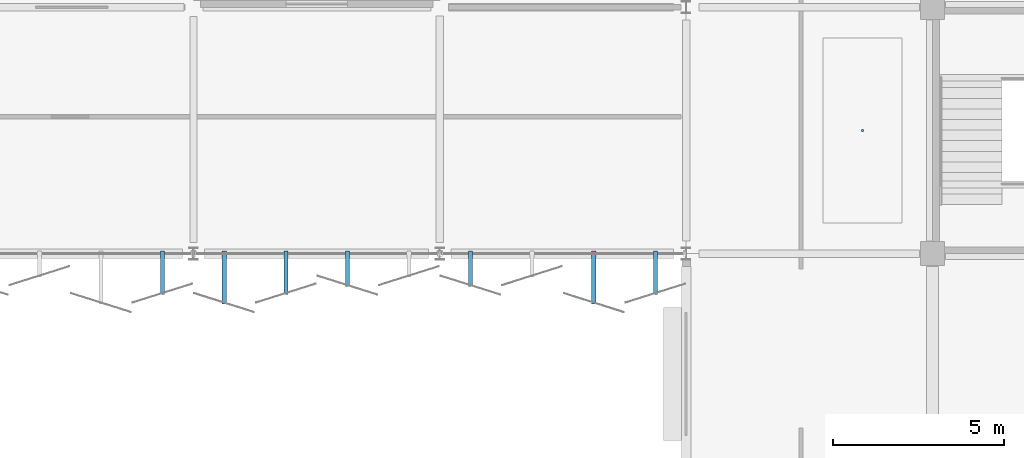
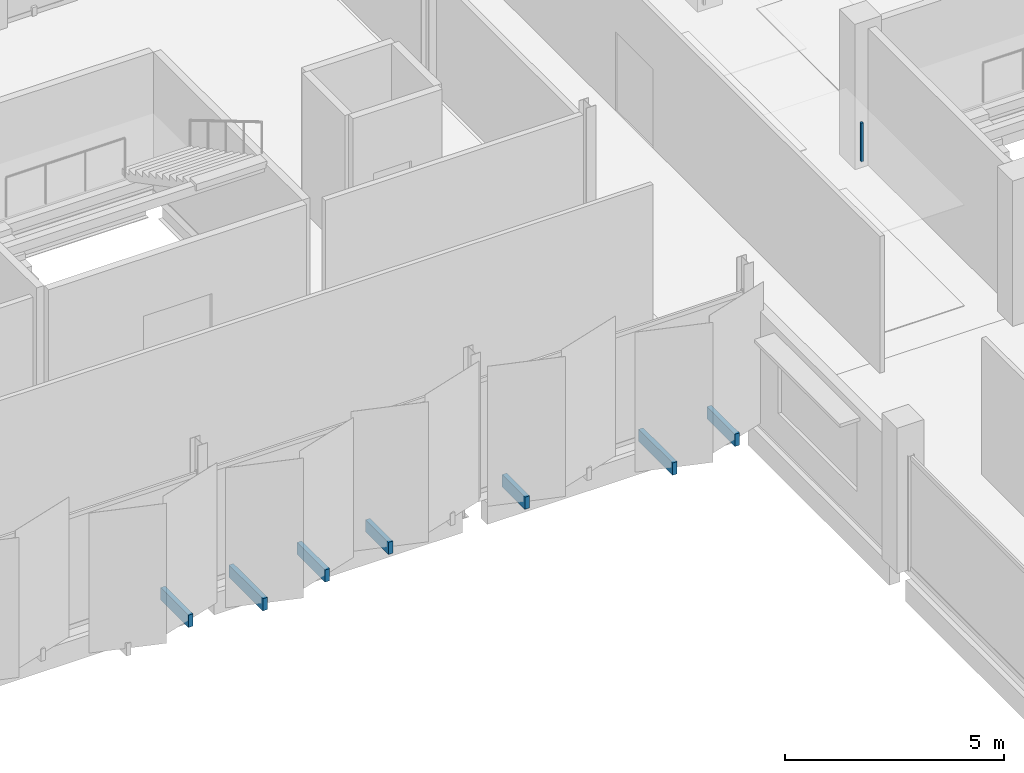
# One storey, part 84 of 91: 8 discrete accessories.
"""IFC4 building model written with IfcOpenShell, lengths in metres."""

from ifc_helpers import new_model, si_unit, direction, frame, origin, origin_2d, place, context, subcontext, project, spatial, rectangle, extrude, material, type_object, element, save


model = new_model("IFC4")

# Units and contexts
model_context = context("Model", 3, precision=1e-05, world=origin(), true_north=direction((0.0, 1.0)))
body_context = subcontext(model_context, "Body", "Model", "MODEL_VIEW")
ifc_project = project(units=[si_unit("LENGTHUNIT", "METRE"), si_unit("AREAUNIT", "SQUARE_METRE"), si_unit("VOLUMEUNIT", "CUBIC_METRE"), si_unit("PLANEANGLEUNIT", "RADIAN"), si_unit("MASSUNIT", "GRAM", prefix="KILO")], contexts=[model_context])

# Site, building, storey
site_placement = place(None, origin())
site = spatial("IfcSite", under=ifc_project, at=site_placement, CompositionType="ELEMENT")
building_placement = place(site_placement, origin())
building = spatial("IfcBuilding", under=site, at=building_placement, Name="Kangsadwip Square Police Headquarters", CompositionType="ELEMENT")
storey_placement = place(building_placement, frame((0.0, 0.0, 13.5)))
storey = spatial("IfcBuildingStorey", under=building, at=storey_placement, Name="L03", CompositionType="ELEMENT", Elevation=13.5)

# Discrete accessories
ifc_material = material(Name="Structural steel IS 2062 E350 (Grade 350, 350 MPa)", Category="steel")
discrete_accessory_type = type_object("IfcDiscreteAccessoryType", Name="VeilOutriggerBracket", PredefinedType="BRACKET", material=ifc_material)
discrete_accessory_1_placement = place(storey_placement, frame((128.699951171875, 93.042724609375, -0.10009765625), z_axis=(0.0, 0.0, 1.0), x_axis=(1.0, 0.0, 0.0)))
element("IfcDiscreteAccessory", 1, at=discrete_accessory_1_placement, inside=storey, type_object=discrete_accessory_type, Name="Veil Outrigger Bracket VBK-L03-0328", PredefinedType="BRACKET", context=body_context, shape_type="SweptSolid", body=[
    extrude(rectangle(XDim=0.1201171875, YDim=1.274658203125, at=origin_2d()), origin(), (0.0, 0.0, 1.0), 0.340087890625),
])
discrete_accessory_2_placement = place(storey_placement, frame((130.5, 92.902587890625, -0.10009765625), z_axis=(0.0, 0.0, 1.0), x_axis=(1.0, 0.0, 0.0)))
element("IfcDiscreteAccessory", 2, at=discrete_accessory_2_placement, inside=storey, type_object=discrete_accessory_type, Name="Veil Outrigger Bracket VBK-L03-0329", PredefinedType="BRACKET", context=body_context, shape_type="SweptSolid", body=[
    extrude(rectangle(XDim=0.1201171875, YDim=1.5546875, at=origin_2d()), origin(), (0.0, 0.0, 1.0), 0.340087890625),
])
discrete_accessory_3_placement = place(storey_placement, frame((132.300048828125, 93.042724609375, -0.10009765625), z_axis=(0.0, 0.0, 1.0), x_axis=(1.0, 0.0, 0.0)))
element("IfcDiscreteAccessory", 3, at=discrete_accessory_3_placement, inside=storey, type_object=discrete_accessory_type, Name="Veil Outrigger Bracket VBK-L03-0330", PredefinedType="BRACKET", context=body_context, shape_type="SweptSolid", body=[
    extrude(rectangle(XDim=0.1201171875, YDim=1.274658203125, at=origin_2d()), origin(), (0.0, 0.0, 1.0), 0.340087890625),
])
for number, where, z_axis, x_axis, name in (
    (4, (134.10009765625, 93.1572265625, -0.10009765625), (0.0, 0.0, 1.0), (1.0, 0.0, 0.0), "Veil Outrigger Bracket VBK-L03-0331"),
    (5, (137.699951171875, 93.1572265625, -0.10009765625), (0.0, 0.0, 1.0), (1.0, 0.0, 0.0), "Veil Outrigger Bracket VBK-L03-0333"),
):
    element("IfcDiscreteAccessory", number, at=place(storey_placement, frame(where, z_axis=z_axis, x_axis=x_axis)), inside=storey, type_object=discrete_accessory_type, Name=name, PredefinedType="BRACKET", context=body_context, shape_type="SweptSolid", body=[
        extrude(rectangle(XDim=0.1201171875, YDim=1.04541015625, at=origin_2d()), origin(), (0.0, 0.0, 1.0), 0.340087890625),
    ])
discrete_accessory_4_placement = place(storey_placement, frame((141.300048828125, 92.902587890625, -0.10009765625), z_axis=(0.0, 0.0, 1.0), x_axis=(1.0, 0.0, 0.0)))
element("IfcDiscreteAccessory", 6, at=discrete_accessory_4_placement, inside=storey, type_object=discrete_accessory_type, Name="Veil Outrigger Bracket VBK-L03-0335", PredefinedType="BRACKET", context=body_context, shape_type="SweptSolid", body=[
    extrude(rectangle(XDim=0.1201171875, YDim=1.5546875, at=origin_2d()), origin(), (0.0, 0.0, 1.0), 0.340087890625),
])
discrete_accessory_5_placement = place(storey_placement, frame((143.10009765625, 93.042724609375, -0.10009765625), z_axis=(0.0, 0.0, 1.0), x_axis=(1.0, 0.0, 0.0)))
element("IfcDiscreteAccessory", 7, at=discrete_accessory_5_placement, inside=storey, type_object=discrete_accessory_type, Name="Veil Outrigger Bracket VBK-L03-0336", PredefinedType="BRACKET", context=body_context, shape_type="SweptSolid", body=[
    extrude(rectangle(XDim=0.1201171875, YDim=1.274658203125, at=origin_2d()), origin(), (0.0, 0.0, 1.0), 0.340087890625),
])
discrete_accessory_6_placement = place(storey_placement, frame((149.14990234375, 97.199951171875, 2.81005859375), z_axis=(0.0, 0.0, 1.0), x_axis=(1.0, 0.0, 0.0)))
element("IfcDiscreteAccessory", 8, at=discrete_accessory_6_placement, inside=storey, type_object=discrete_accessory_type, Name="Ceiling Suspension Hanger L03-093", PredefinedType="BRACKET", context=body_context, shape_type="SweptSolid", body=[
    extrude(rectangle(XDim=0.06005859375, YDim=0.06005859375, at=origin_2d()), origin(), (0.0, 0.0, 1.0), 1.080078125),
])

save(model, "model.ifc")
